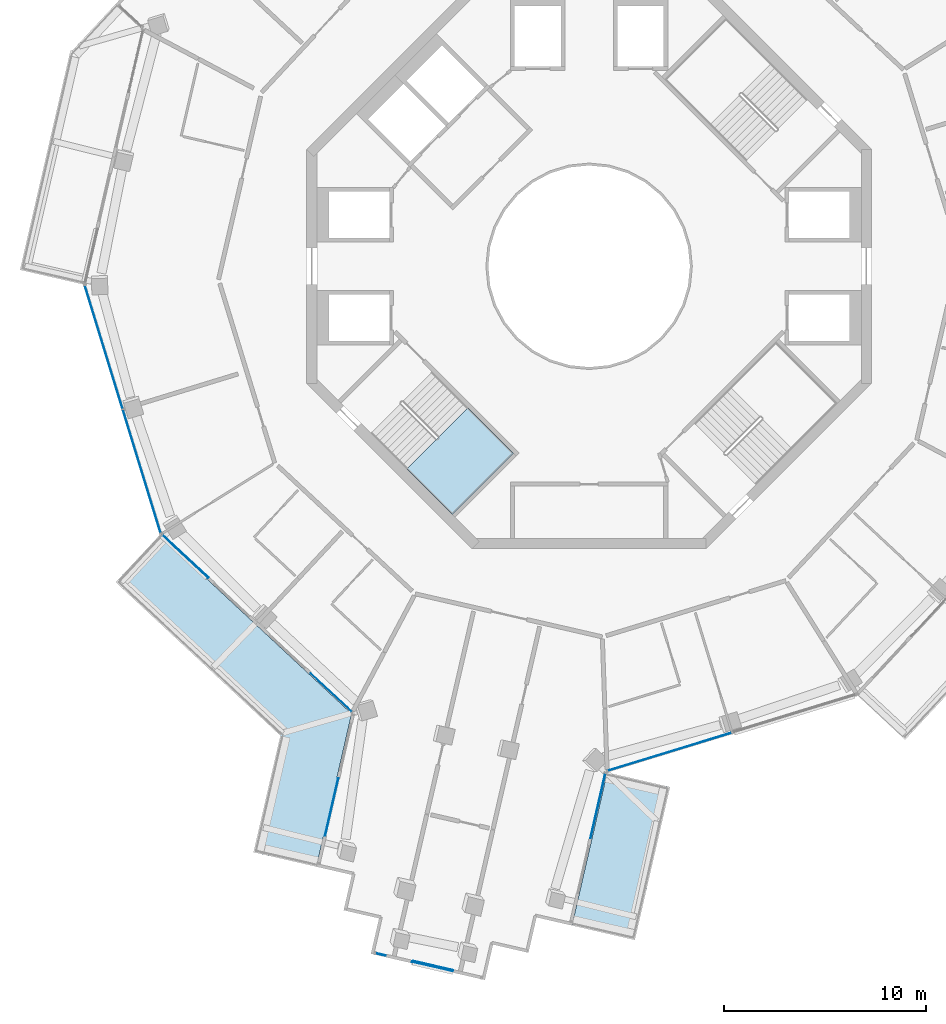
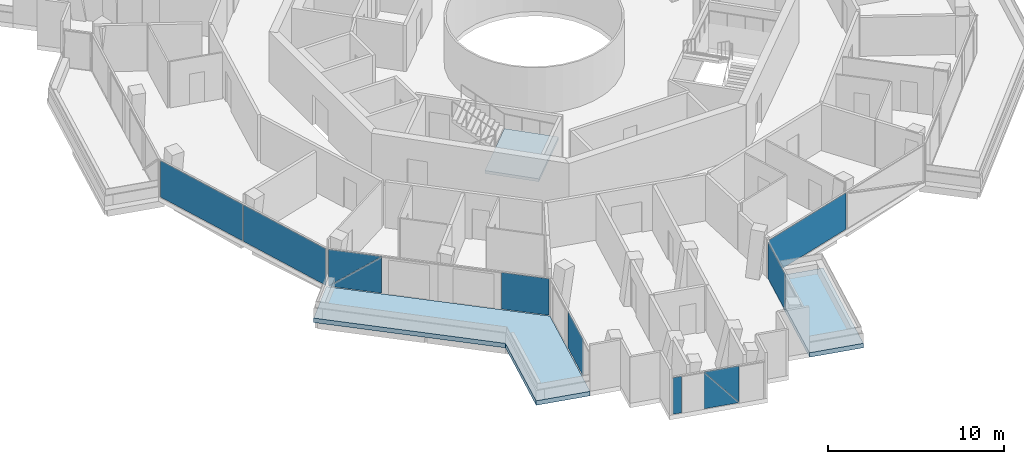
# One storey, part 10 of 21: 11 plates, 3 slabs, 7 elements without a shape of their own.
"""IFC4 building model written with IfcOpenShell, lengths in metres."""

from ifc_helpers import new_model, si_unit, direction, frame, origin, origin_2d, place, context, subcontext, project, spatial, polyline, rectangle, outline, extrude, material, layer, layer_set, type_object, element, aggregate, save


model = new_model("IFC4")

# Units and contexts
model_context = context("Model", 3, precision=1e-05, world=origin(), true_north=direction((0.0, 1.0)))
body_context = subcontext(model_context, "Body", "Model", "MODEL_VIEW")
ifc_project = project(units=[si_unit("LENGTHUNIT", "METRE"), si_unit("AREAUNIT", "SQUARE_METRE"), si_unit("VOLUMEUNIT", "CUBIC_METRE"), si_unit("PLANEANGLEUNIT", "RADIAN"), si_unit("MASSUNIT", "GRAM", prefix="KILO")], contexts=[model_context])

# Site, building, storey
site_placement = place(None, origin())
site = spatial("IfcSite", under=ifc_project, at=site_placement, CompositionType="ELEMENT")
building_placement = place(site_placement, origin())
building = spatial("IfcBuilding", under=site, at=building_placement, Name="Verdalira Terraces Hotel", CompositionType="ELEMENT")
storey_placement = place(building_placement, frame((0.0, 0.0, 227.0)))
storey = spatial("IfcBuildingStorey", under=building, at=storey_placement, Name="L55", CompositionType="ELEMENT", Elevation=227.0)

# Slabs
ifc_material_1 = material(Name="Precast concrete C40/50", Category="concrete")
ifc_layer_1 = layer(ifc_material_1, 0.31005859375)
ifc_layer_set_1 = layer_set([ifc_layer_1], Name="Balcony deck 310")
slab_type_1 = type_object("IfcSlabType", Name="Balcony deck 310", PredefinedType="FLOOR", material=ifc_layer_set_1)
slab_1_placement = place(storey_placement, frame((0.0, 0.0, -0.310059)))
element("IfcSlab", 1, at=slab_1_placement, inside=storey, type_object=slab_type_1, Name="Balcony deck", PredefinedType="FLOOR", context=body_context, shape_type="SweptSolid", body=[
    extrude(outline(polyline([(-15.307617, -23.265381), (-16.638916, -29.050293), (-13.520508, -29.767822), (-11.774902, -22.182617), (-21.288574, -13.323242), (-23.469482, -15.665039), (-15.307617, -23.265381)])), origin(), (0.0, 0.0, 1.0), 0.310059),
])
slab_2_placement = place(storey_placement, frame((0.0, 0.0, -0.310059)))
element("IfcSlab", 2, at=slab_2_placement, inside=storey, type_object=slab_type_1, Name="Balcony deck", PredefinedType="FLOOR", context=body_context, shape_type="SweptSolid", body=[
    extrude(outline(polyline([(4.012451, -25.815918), (0.894043, -25.098145), (-0.851562, -32.68335), (2.266846, -33.401123), (4.012451, -25.815918)])), origin(), (0.0, 0.0, 1.0), 0.310059),
])

# Curtain wall, plates
ifc_material_2 = material(Name="Clear glass", Category="glass")
ifc_layer_2 = layer(ifc_material_2, 0.14990234375)
ifc_layer_set_2 = layer_set([ifc_layer_2], Name="CW1 curtain wall")
curtain_wall_type_1 = type_object("IfcCurtainWallType", Name="CW1 curtain wall", PredefinedType="NOTDEFINED", material=ifc_layer_set_2)
curtain_wall_1_placement = place(storey_placement, origin())
curtain_wall_1 = element("IfcCurtainWall", 3, at=curtain_wall_1_placement, inside=storey, type_object=curtain_wall_type_1, Name="CW1 curtain wall L55 edge 12", PredefinedType="NOTDEFINED")
ifc_material_3 = material(Name="Clear glass", Category="glass")
ifc_layer_3 = layer(ifc_material_3, 0.028076171875)
ifc_layer_set_3 = layer_set([ifc_layer_3], Name="CW1 glass unit 28")
plate_type_1 = type_object("IfcPlateType", Name="CW1 glass unit 28", PredefinedType="CURTAIN_PANEL", material=ifc_layer_set_3)
plate_1_placement = place(storey_placement, frame((-24.063721, -4.012939, 0.0), z_axis=(0.0, 0.0, 1.0), x_axis=(0.29303926, -0.956100409, 0.0)))
plate_1 = element("IfcPlate", 4, at=plate_1_placement, type_object=plate_type_1, Name="CW1 glass unit", PredefinedType="CURTAIN_PANEL", context=body_context, shape_type="SweptSolid", body=[
    extrude(rectangle(XDim=6.369873, YDim=0.028076, at=origin_2d()), origin(), (0.0, 0.0, 1.0), 2.524902),
])
plate_2_placement = place(storey_placement, frame((-22.179688, -10.1604, 0.0), z_axis=(0.0, 0.0, 1.0), x_axis=(0.29303926, -0.956100409, 0.0)))
plate_2 = element("IfcPlate", 5, at=plate_2_placement, type_object=plate_type_1, Name="CW1 glass unit", PredefinedType="CURTAIN_PANEL", context=body_context, shape_type="SweptSolid", body=[
    extrude(rectangle(XDim=6.369873, YDim=0.028076, at=origin_2d()), origin(), (0.0, 0.0, 1.0), 2.524902),
])
aggregate(curtain_wall_1, [plate_1, plate_2])

curtain_wall_2_placement = place(storey_placement, origin())
curtain_wall_2 = element("IfcCurtainWall", 6, at=curtain_wall_2_placement, inside=storey, type_object=curtain_wall_type_1, Name="CW1 curtain wall L55 edge 13", PredefinedType="NOTDEFINED")
plate_3_placement = place(storey_placement, frame((-20.020508, -14.382568, 1.262451), z_axis=(-0.681487613, -0.731829648, 0.0), x_axis=(0.731829648, -0.681487613, 0.0)))
plate_3 = element("IfcPlate", 7, at=plate_3_placement, type_object=plate_type_1, Name="CW1 glass unit", PredefinedType="CURTAIN_PANEL", context=body_context, shape_type="SweptSolid", body=[
    extrude(outline(polyline([(-1.549805, -1.262451), (1.549805, -1.262451), (1.549805, 1.262451), (-1.549805, -1.262451)])), origin(), (0.0, 0.0, 1.0), 0.028076),
])
plate_4_placement = place(storey_placement, frame((-20.000732, -14.361328, 1.262451), z_axis=(-0.681487613, -0.731829648, 0.0), x_axis=(0.731829648, -0.681487613, 0.0)))
plate_4 = element("IfcPlate", 8, at=plate_4_placement, type_object=plate_type_1, Name="CW1 glass unit", PredefinedType="CURTAIN_PANEL", context=body_context, shape_type="SweptSolid", body=[
    extrude(outline(polyline([(-1.549805, -1.262451), (1.549805, 1.262451), (-1.549805, 1.262451), (-1.549805, -1.262451)])), origin(), (0.0, 0.0, 1.0), 0.028076),
])
plate_5_placement = place(storey_placement, frame((-12.784424, -21.140137, 0.0), z_axis=(0.0, 0.0, 1.0), x_axis=(0.731829648, -0.681487613, 0.0)))
plate_5 = element("IfcPlate", 9, at=plate_5_placement, type_object=plate_type_1, Name="CW1 glass unit", PredefinedType="CURTAIN_PANEL", context=body_context, shape_type="SweptSolid", body=[
    extrude(rectangle(XDim=2.778809, YDim=0.028076, at=origin_2d()), origin(), (0.0, 0.0, 1.0), 2.524902),
])
aggregate(curtain_wall_2, [plate_3, plate_4, plate_5])

# Curtain wall, plate
curtain_wall_3_placement = place(storey_placement, origin())
curtain_wall_3 = element("IfcCurtainWall", 10, at=curtain_wall_3_placement, inside=storey, type_object=curtain_wall_type_1, Name="CW1 curtain wall L55 edge 25", PredefinedType="NOTDEFINED")
plate_6_placement = place(storey_placement, frame((3.993652, -24.06958, 0.0), z_axis=(0.0, 0.0, 1.0), x_axis=(0.956100409, 0.29303926, 0.0)))
plate_6 = element("IfcPlate", 11, at=plate_6_placement, type_object=plate_type_1, Name="CW1 glass unit", PredefinedType="CURTAIN_PANEL", context=body_context, shape_type="SweptSolid", body=[
    extrude(rectangle(XDim=6.409912, YDim=0.028076, at=origin_2d()), origin(), (0.0, 0.0, 1.0), 2.524902),
])
aggregate(curtain_wall_3, [plate_6])

ifc_material_4 = material(Name="Clear glass", Category="glass")
ifc_layer_4 = layer(ifc_material_4, 0.14990234375)
ifc_layer_set_4 = layer_set([ifc_layer_4], Name="CW2 curtain wall")
curtain_wall_type_2 = type_object("IfcCurtainWallType", Name="CW2 curtain wall", PredefinedType="NOTDEFINED", material=ifc_layer_set_4)
curtain_wall_4_placement = place(storey_placement, origin())
curtain_wall_4 = element("IfcCurtainWall", 12, at=curtain_wall_4_placement, inside=storey, type_object=curtain_wall_type_2, Name="CW2 curtain wall L55 edge 14", PredefinedType="NOTDEFINED")
ifc_material_5 = material(Name="Clear glass", Category="glass")
ifc_layer_5 = layer(ifc_material_5, 0.031982421875)
ifc_layer_set_5 = layer_set([ifc_layer_5], Name="CW2 glass unit 32")
plate_type_2 = type_object("IfcPlateType", Name="CW2 glass unit 32", PredefinedType="CURTAIN_PANEL", material=ifc_layer_set_5)
plate_7_placement = place(storey_placement, frame((-12.761963, -26.805908, 0.0), z_axis=(0.0, 0.0, 1.0), x_axis=(-0.224270761, -0.974526873, 0.0)))
plate_7 = element("IfcPlate", 13, at=plate_7_placement, type_object=plate_type_2, Name="CW2 glass unit", PredefinedType="CURTAIN_PANEL", context=body_context, shape_type="SweptSolid", body=[
    extrude(rectangle(XDim=2.913574, YDim=0.031982, at=origin_2d()), origin(), (0.0, 0.0, 1.0), 2.524902),
])
aggregate(curtain_wall_4, [plate_7])

curtain_wall_5_placement = place(storey_placement, origin())
curtain_wall_5 = element("IfcCurtainWall", 14, at=curtain_wall_5_placement, inside=storey, type_object=curtain_wall_type_2, Name="CW2 curtain wall L55 edge 24", PredefinedType="NOTDEFINED")
plate_8_placement = place(storey_placement, frame((0.437012, -26.749512, 0.0), z_axis=(0.0, 0.0, 1.0), x_axis=(0.224270761, 0.974526873, 0.0)))
plate_8 = element("IfcPlate", 15, at=plate_8_placement, type_object=plate_type_2, Name="CW2 glass unit", PredefinedType="CURTAIN_PANEL", context=body_context, shape_type="SweptSolid", body=[
    extrude(rectangle(XDim=3.283447, YDim=0.031982, at=origin_2d()), origin(), (0.0, 0.0, 1.0), 2.524902),
])
aggregate(curtain_wall_5, [plate_8])

# Curtain wall, plates
ifc_material_6 = material(Name="Clear glass", Category="glass")
ifc_layer_6 = layer(ifc_material_6, 0.14990234375)
ifc_layer_set_6 = layer_set([ifc_layer_6], Name="CW3 curtain wall")
curtain_wall_type_3 = type_object("IfcCurtainWallType", Name="CW3 curtain wall", PredefinedType="NOTDEFINED", material=ifc_layer_set_6)
curtain_wall_6_placement = place(storey_placement, origin())
curtain_wall_6 = element("IfcCurtainWall", 16, at=curtain_wall_6_placement, inside=storey, type_object=curtain_wall_type_3, Name="CW3 curtain wall L55 edge 19", PredefinedType="NOTDEFINED")
ifc_material_7 = material(Name="Clear glass", Category="glass")
ifc_layer_7 = layer(ifc_material_7, 0.035888671875)
ifc_layer_set_7 = layer_set([ifc_layer_7], Name="CW3 glass unit 36")
plate_type_3 = type_object("IfcPlateType", Name="CW3 glass unit 36", PredefinedType="CURTAIN_PANEL", material=ifc_layer_set_7)
plate_9_placement = place(storey_placement, frame((-10.330078, -34.119141, 0.0), z_axis=(0.0, 0.0, 1.0), x_axis=(0.974526873, -0.224270761, 0.0)))
plate_9 = element("IfcPlate", 17, at=plate_9_placement, type_object=plate_type_3, Name="CW3 glass unit", PredefinedType="CURTAIN_PANEL", context=body_context, shape_type="SweptSolid", body=[
    extrude(rectangle(XDim=0.51001, YDim=0.035889, at=origin_2d()), origin(), (0.0, 0.0, 1.0), 2.524902),
])
plate_10_placement = place(storey_placement, frame((-7.760742, -34.692139, 1.262451), z_axis=(-0.224270761, -0.974526873, 0.0), x_axis=(0.974526873, -0.224270761, 0.0)))
plate_10 = element("IfcPlate", 18, at=plate_10_placement, type_object=plate_type_3, Name="CW3 glass unit", PredefinedType="CURTAIN_PANEL", context=body_context, shape_type="SweptSolid", body=[
    extrude(outline(polyline([(-1.04248, -1.262451), (1.04248, -1.262451), (-1.04248, 1.262451), (-1.04248, -1.262451)])), origin(), (0.0, 0.0, 1.0), 0.035889),
])
plate_11_placement = place(storey_placement, frame((-7.752197, -34.656006, 1.262451), z_axis=(-0.224270761, -0.974526873, 0.0), x_axis=(0.974526873, -0.224270761, 0.0)))
plate_11 = element("IfcPlate", 19, at=plate_11_placement, type_object=plate_type_3, Name="CW3 glass unit", PredefinedType="CURTAIN_PANEL", context=body_context, shape_type="SweptSolid", body=[
    extrude(outline(polyline([(1.04248, -1.262451), (1.04248, 1.262451), (-1.04248, 1.262451), (1.04248, -1.262451)])), origin(), (0.0, 0.0, 1.0), 0.035889),
])
aggregate(curtain_wall_6, [plate_9, plate_10, plate_11])

# Stair, slab
ifc_material_8 = material(Name="Concrete C40", Category="concrete")
stair_type = type_object("IfcStairType", Name="Core stair 20 risers 2100 mm wide", PredefinedType="HALF_TURN_STAIR", material=ifc_material_8)
stair_placement = place(storey_placement, origin())
stair = element("IfcStair", 20, at=stair_placement, inside=storey, type_object=stair_type, Name="L55 Exit stair ST2", PredefinedType="HALF_TURN_STAIR")
ifc_material_9 = material(Name="Concrete C40", Category="concrete")
ifc_layer_8 = layer(ifc_material_9, 0.199951171875)
ifc_layer_set_8 = layer_set([ifc_layer_8], Name="Core stair landing 200 mm")
slab_type_2 = type_object("IfcSlabType", Name="Core stair landing 200 mm", PredefinedType="LANDING", material=ifc_layer_set_8)
slab_3_placement = place(storey_placement, frame((0.0, 0.0, 1.550049)))
slab_3 = element("IfcSlab", 21, at=slab_3_placement, type_object=slab_type_2, Name="ST2 landing 1", PredefinedType="LANDING", context=body_context, shape_type="SweptSolid", body=[
    extrude(outline(polyline([(-9.037109, -10.054688), (-6.78833, -12.303711), (-3.747559, -9.263184), (-5.996582, -7.01416), (-9.037109, -10.054688)])), origin(), (0.0, 0.0, 1.0), 0.199951),
])
aggregate(stair, [slab_3])

save(model, "model.ifc")
